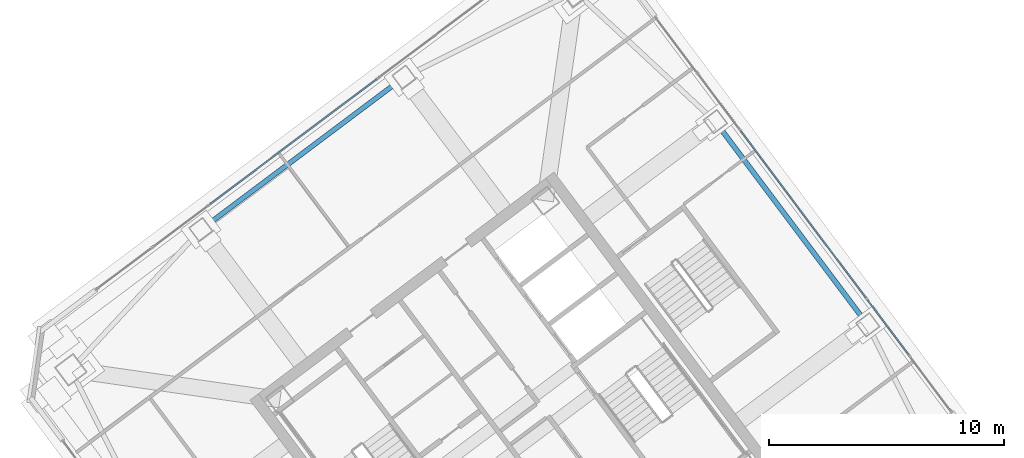
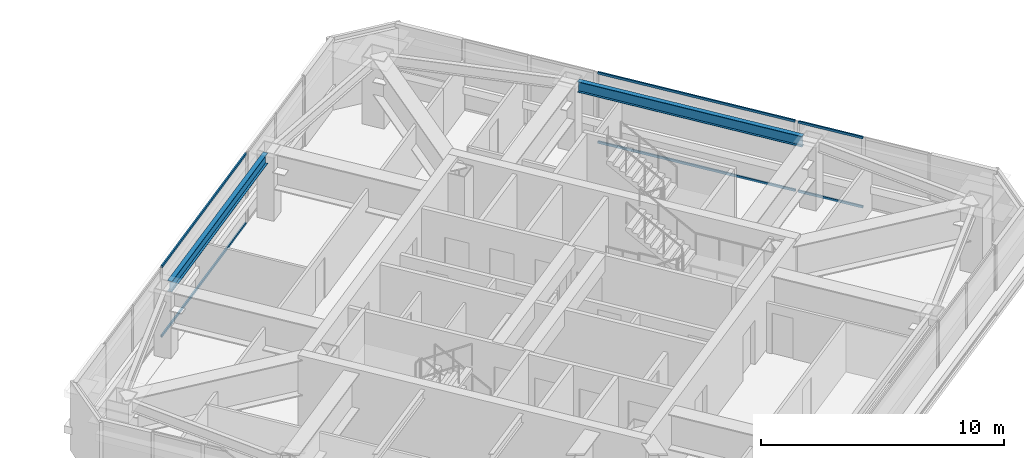
# One storey, part 25 of 40: 6 members, 2 beams, 3 elements without a shape of their own.
"""IFC4 building model written with IfcOpenShell, lengths in metres."""

from ifc_helpers import new_model, si_unit, direction, frame, origin, origin_2d, place, context, subcontext, project, spatial, hollow_rectangle, i_section, extrude, material, material_profile, profile_set, type_object, element, aggregate, save


model = new_model("IFC4")

# Units and contexts
model_context = context("Model", 3, precision=1e-05, world=origin(), true_north=direction((0.0, 1.0)))
body_context = subcontext(model_context, "Body", "Model", "MODEL_VIEW")
ifc_project = project(units=[si_unit("LENGTHUNIT", "METRE"), si_unit("AREAUNIT", "SQUARE_METRE"), si_unit("VOLUMEUNIT", "CUBIC_METRE"), si_unit("PLANEANGLEUNIT", "RADIAN"), si_unit("MASSUNIT", "GRAM", prefix="KILO")], contexts=[model_context])

# Site, building, storey
site_placement = place(None, origin())
site = spatial("IfcSite", under=ifc_project, at=site_placement, CompositionType="ELEMENT")
building_placement = place(site_placement, origin())
building = spatial("IfcBuilding", under=site, at=building_placement, Name="Tashvorn Skyway Center", CompositionType="ELEMENT")
storey_placement = place(building_placement, frame((0.0, 0.0, 229.050048828125)))
storey = spatial("IfcBuildingStorey", under=building, at=storey_placement, Name="L62", CompositionType="ELEMENT", Elevation=229.050048828125)

# Beams
ifc_material_1 = material(Name="Steel ASTM A992 Grade 50", Category="steel")
ifc_material_profile_1 = material_profile(ifc_material_1, i_section(OverallWidth=0.2109375, OverallDepth=0.5390625, WebThickness=0.01171875, FlangeThickness=0.018798828125, at=origin_2d()), Name="W21X73")
ifc_profile_set_1 = profile_set([ifc_material_profile_1], Name="Steel ASTM A992 Grade 50")
beam_type = type_object("IfcBeamType", Name="BM-SPANDREL-W21X73", PredefinedType="SPANDREL", material=ifc_profile_set_1)
for number, where, z_axis, x_axis, name in (
    (1, (128.89794921875, 36.885986328125, 3.100341796875), (-0.599988351091, 0.800008736549, 0.0), (-0.800008736549, -0.599988351091, 0.0), "Tower 2 L62 Spandrel Beam 05"),
    (2, (109.114013671875, 46.89794921875, 3.100341796875), (-0.800008736549, -0.599988351091, 0.0), (0.599988351091, -0.800008736549, 0.0), "Tower 2 L62 Spandrel Beam 08"),
):
    element("IfcBeam", number, at=place(storey_placement, frame(where, z_axis=z_axis, x_axis=x_axis)), inside=storey, type_object=beam_type, Name=name, PredefinedType="SPANDREL", context=body_context, shape_type="SweptSolid", body=[
        extrude(i_section(OverallWidth=0.2109375, OverallDepth=0.5390625, WebThickness=0.01171875, FlangeThickness=0.018798828125, at=origin_2d()), origin(), (0.0, 0.0, 1.0), 10.06005859375),
    ])

# Curtain wall, members
ifc_material_2 = material(Name="Thermally broken bronze-anodized aluminium 6063-T6", Category="aluminium")
curtain_wall_type = type_object("IfcCurtainWallType", Name="CW-CW-Z5", PredefinedType="NOTDEFINED", material=ifc_material_2)
curtain_wall_1_placement = place(storey_placement, origin())
curtain_wall_1 = element("IfcCurtainWall", 3, at=curtain_wall_1_placement, inside=storey, type_object=curtain_wall_type, Name="Tower 2 L62 North Unitised Curtain Wall Glazing Group 2", PredefinedType="NOTDEFINED")
ifc_material_profile_2 = material_profile(ifc_material_2, hollow_rectangle(XDim=0.070068359375, YDim=0.114990234375, WallThickness=0.00390625, at=origin_2d()), Name="ALU-TRAN-70x115")
ifc_profile_set_2 = profile_set([ifc_material_profile_2], Name="Thermally broken bronze-anodized aluminium 6063-T6")
member_type = type_object("IfcMemberType", Name="CWT-CW-Z5", PredefinedType="USERDEFINED", material=ifc_profile_set_2)
member_1_placement = place(storey_placement, frame((101.17333984375, 41.72998046875, 0.034912109375), z_axis=(0.799996688401, 0.600004415441, 0.0), x_axis=(-0.600004415441, 0.799996688401, 0.0)))
member_1 = element("IfcMember", 4, at=member_1_placement, type_object=member_type, Name="CW-Z5 transom 1.1", ObjectType="TRANSOM", PredefinedType="USERDEFINED", context=body_context, shape_type="SweptSolid", body=[
    extrude(hollow_rectangle(XDim=0.070068359375, YDim=0.114990234375, WallThickness=0.00390625, at=origin_2d()), origin(), (0.0, 0.0, 1.0), 8.8466796875),
])
member_2_placement = place(storey_placement, frame((101.17333984375, 41.72998046875, 3.514892578125), z_axis=(0.799996688401, 0.600004415441, 0.0), x_axis=(-0.600004415441, 0.799996688401, 0.0)))
member_2 = element("IfcMember", 5, at=member_2_placement, type_object=member_type, Name="CW-Z5 transom 1.2", ObjectType="TRANSOM", PredefinedType="USERDEFINED", context=body_context, shape_type="SweptSolid", body=[
    extrude(hollow_rectangle(XDim=0.070068359375, YDim=0.114990234375, WallThickness=0.00390625, at=origin_2d()), origin(), (0.0, 0.0, 1.0), 8.8466796875),
])
aggregate(curtain_wall_1, [member_1, member_2])

curtain_wall_2_placement = place(storey_placement, origin())
curtain_wall_2 = element("IfcCurtainWall", 6, at=curtain_wall_2_placement, inside=storey, type_object=curtain_wall_type, Name="Tower 2 L62 East Unitised Curtain Wall Glazing Group 2", PredefinedType="NOTDEFINED")
member_3_placement = place(storey_placement, frame((123.72998046875, 44.82666015625, 0.034912109375), z_axis=(0.600004415441, -0.799996688401, 0.0), x_axis=(0.799996688401, 0.600004415441, 0.0)))
member_3 = element("IfcMember", 7, at=member_3_placement, type_object=member_type, Name="CW-Z5 transom 1.1", ObjectType="TRANSOM", PredefinedType="USERDEFINED", context=body_context, shape_type="SweptSolid", body=[
    extrude(hollow_rectangle(XDim=0.070068359375, YDim=0.114990234375, WallThickness=0.00390625, at=origin_2d()), origin(), (0.0, 0.0, 1.0), 8.8466796875),
])
member_4_placement = place(storey_placement, frame((123.72998046875, 44.82666015625, 3.514892578125), z_axis=(0.600004415441, -0.799996688401, 0.0), x_axis=(0.799996688401, 0.600004415441, 0.0)))
member_4 = element("IfcMember", 8, at=member_4_placement, type_object=member_type, Name="CW-Z5 transom 1.2", ObjectType="TRANSOM", PredefinedType="USERDEFINED", context=body_context, shape_type="SweptSolid", body=[
    extrude(hollow_rectangle(XDim=0.070068359375, YDim=0.114990234375, WallThickness=0.00390625, at=origin_2d()), origin(), (0.0, 0.0, 1.0), 8.8466796875),
])
aggregate(curtain_wall_2, [member_3, member_4])

curtain_wall_3_placement = place(storey_placement, origin())
curtain_wall_3 = element("IfcCurtainWall", 9, at=curtain_wall_3_placement, inside=storey, type_object=curtain_wall_type, Name="Tower 2 L62 East Unitised Curtain Wall Glazing Group 3", PredefinedType="NOTDEFINED")
member_5_placement = place(storey_placement, frame((129.1220703125, 37.63720703125, 0.034912109375), z_axis=(0.600040542509, -0.799969591513, 0.0), x_axis=(0.799969591513, 0.600040542509, 0.0)))
member_5 = element("IfcMember", 10, at=member_5_placement, type_object=member_type, Name="CW-Z5 transom 1.1", ObjectType="TRANSOM", PredefinedType="USERDEFINED", context=body_context, shape_type="SweptSolid", body=[
    extrude(hollow_rectangle(XDim=0.070068359375, YDim=0.114990234375, WallThickness=0.00390625, at=origin_2d()), origin(), (0.0, 0.0, 1.0), 2.890380859375),
])
member_6_placement = place(storey_placement, frame((129.1220703125, 37.63720703125, 3.514892578125), z_axis=(0.600040542509, -0.799969591513, 0.0), x_axis=(0.799969591513, 0.600040542509, 0.0)))
member_6 = element("IfcMember", 11, at=member_6_placement, type_object=member_type, Name="CW-Z5 transom 1.2", ObjectType="TRANSOM", PredefinedType="USERDEFINED", context=body_context, shape_type="SweptSolid", body=[
    extrude(hollow_rectangle(XDim=0.070068359375, YDim=0.114990234375, WallThickness=0.00390625, at=origin_2d()), origin(), (0.0, 0.0, 1.0), 2.890380859375),
])
aggregate(curtain_wall_3, [member_5, member_6])

save(model, "model.ifc")
